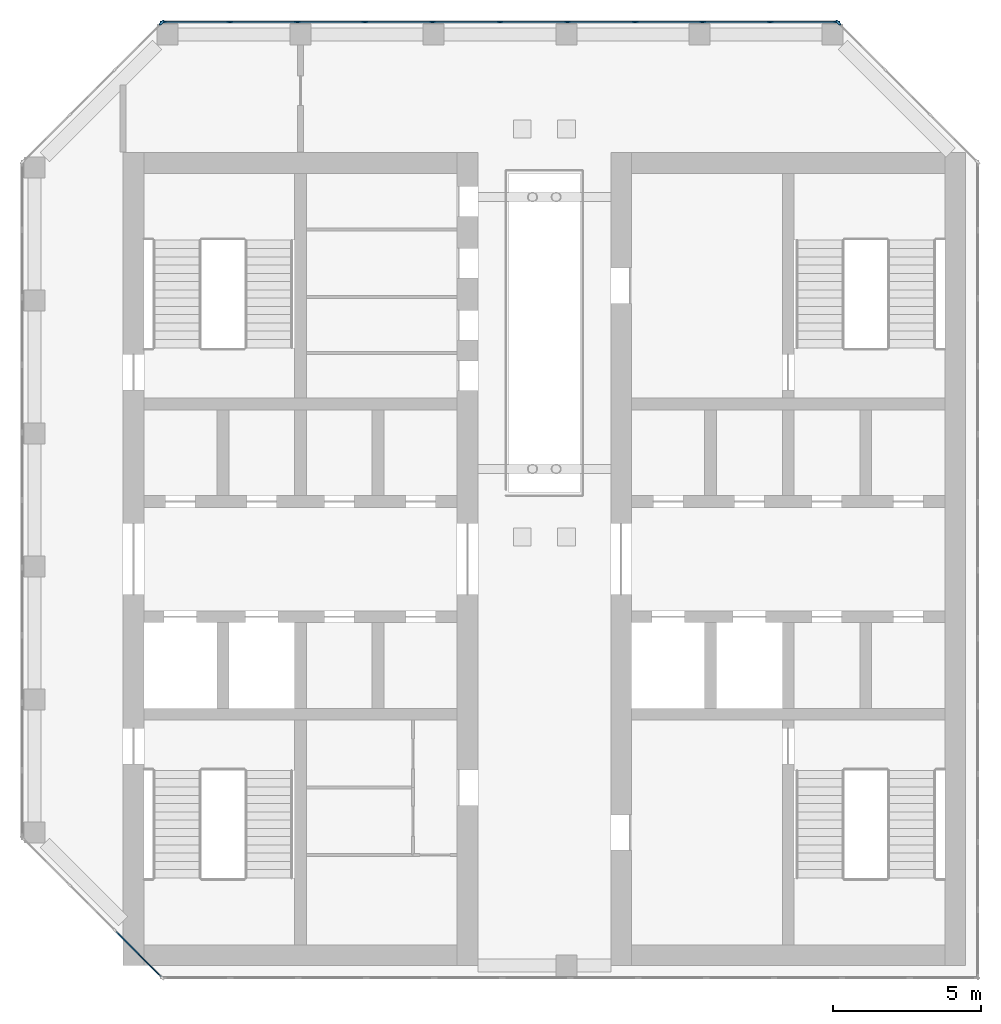
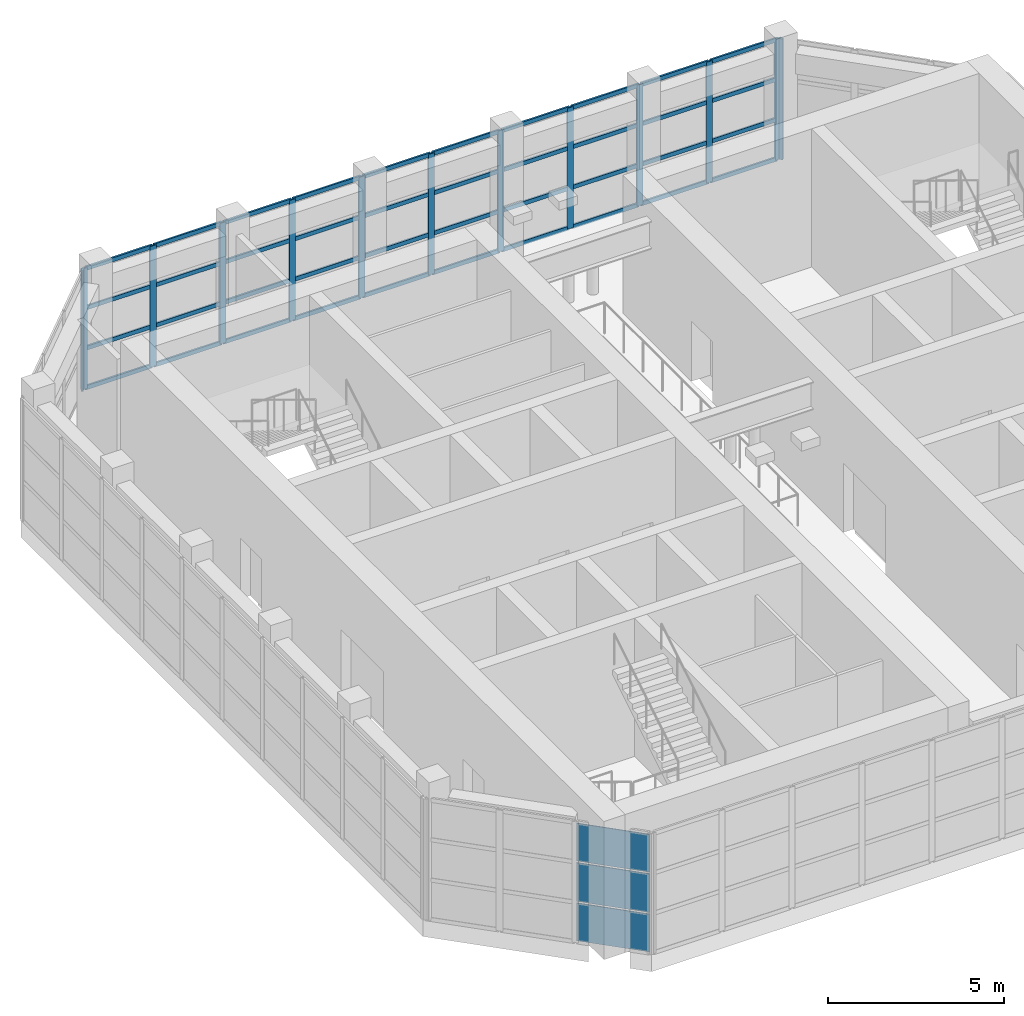
# One storey, part 6 of 13: 53 members, 3 plates, 4 elements without a shape of their own.
"""IFC4 building model written with IfcOpenShell, lengths in metres."""

from ifc_helpers import new_model, si_unit, direction, frame, origin, origin_2d, place, context, subcontext, project, spatial, rectangle, extrude, material, layer, layer_set, material_profile, profile_set, type_object, element, aggregate, save


model = new_model("IFC4")

# Units and contexts
model_context = context("Model", 3, precision=1e-05, world=origin(), true_north=direction((0.0, 1.0)))
body_context = subcontext(model_context, "Body", "Model", "MODEL_VIEW")
ifc_project = project(units=[si_unit("LENGTHUNIT", "METRE"), si_unit("AREAUNIT", "SQUARE_METRE"), si_unit("VOLUMEUNIT", "CUBIC_METRE"), si_unit("PLANEANGLEUNIT", "RADIAN"), si_unit("MASSUNIT", "GRAM", prefix="KILO")], contexts=[model_context])

# Site, building, storey
site_placement = place(None, origin())
site = spatial("IfcSite", under=ifc_project, at=site_placement, CompositionType="ELEMENT")
building_placement = place(site_placement, origin())
building = spatial("IfcBuilding", under=site, at=building_placement, Name="Corbel Stack Research Tower", CompositionType="ELEMENT")
storey_placement = place(building_placement, frame((0.0, 0.0, 316.60009765625)))
storey = spatial("IfcBuildingStorey", under=building, at=storey_placement, Name="L71", CompositionType="ELEMENT", Elevation=316.60009765625)

# Curtain wall, member
ifc_material_1 = material(Name="Aluminium and glass", Category="aluminium")
curtain_wall_type = type_object("IfcCurtainWallType", Name="CW4C damper hall glazing wall, corner", PredefinedType="NOTDEFINED", material=ifc_material_1)
curtain_wall_1_placement = place(storey_placement, origin())
curtain_wall_1 = element("IfcCurtainWall", 1, at=curtain_wall_1_placement, inside=storey, type_object=curtain_wall_type, Name="Damper hall curtain wall L71 3", PredefinedType="NOTDEFINED")
ifc_material_2 = material(Name="Aluminium, anodised", Category="aluminium")
ifc_material_profile_1 = material_profile(ifc_material_2, rectangle(XDim=0.06005859375, YDim=0.199951171875, at=origin_2d()), Name="CW4 mullion 60 x 200")
ifc_profile_set_1 = profile_set([ifc_material_profile_1], Name="Aluminium, anodised")
member_type_1 = type_object("IfcMemberType", Name="CW4 mullion 60 x 200", PredefinedType="MULLION", material=ifc_profile_set_1)
member_1_placement = place(storey_placement, frame((-9.1953125, 22.898681640625, 0.0), z_axis=(0.0, 0.0, 1.0), x_axis=(-0.707106781187, 0.707106781187, 0.0)))
member_1 = element("IfcMember", 2, at=member_1_placement, type_object=member_type_1, Name="CW4C mullion 4", PredefinedType="MULLION", context=body_context, shape_type="SweptSolid", body=[
    extrude(rectangle(XDim=0.06005859375, YDim=0.199951171875, at=origin_2d()), origin(), (0.0, 0.0, 1.0), 4.199951171875),
])
aggregate(curtain_wall_1, [member_1])

# Curtain wall, members
curtain_wall_2_placement = place(storey_placement, origin())
curtain_wall_2 = element("IfcCurtainWall", 3, at=curtain_wall_2_placement, inside=storey, type_object=curtain_wall_type, Name="Damper hall curtain wall L71 4", PredefinedType="NOTDEFINED")
member_2_placement = place(storey_placement, frame((-9.14404296875, 22.919921875, 0.0), z_axis=(0.0, 0.0, 1.0), x_axis=(0.0, 1.0, 0.0)))
member_2 = element("IfcMember", 4, at=member_2_placement, type_object=member_type_1, Name="CW4C mullion 1", PredefinedType="MULLION", context=body_context, shape_type="SweptSolid", body=[
    extrude(rectangle(XDim=0.06005859375, YDim=0.199951171875, at=origin_2d()), origin(), (0.0, 0.0, 1.0), 4.199951171875),
])
member_3_placement = place(storey_placement, frame((-6.88916015625, 22.919921875, 0.0), z_axis=(0.0, 0.0, 1.0), x_axis=(0.0, 1.0, 0.0)))
member_3 = element("IfcMember", 5, at=member_3_placement, type_object=member_type_1, Name="CW4C mullion 2", PredefinedType="MULLION", context=body_context, shape_type="SweptSolid", body=[
    extrude(rectangle(XDim=0.06005859375, YDim=0.199951171875, at=origin_2d()), origin(), (0.0, 0.0, 1.0), 4.199951171875),
])
member_4_placement = place(storey_placement, frame((-4.6044921875, 22.919921875, 0.0), z_axis=(0.0, 0.0, 1.0), x_axis=(0.0, 1.0, 0.0)))
member_4 = element("IfcMember", 6, at=member_4_placement, type_object=member_type_1, Name="CW4C mullion 3", PredefinedType="MULLION", context=body_context, shape_type="SweptSolid", body=[
    extrude(rectangle(XDim=0.06005859375, YDim=0.199951171875, at=origin_2d()), origin(), (0.0, 0.0, 1.0), 4.199951171875),
])
member_5_placement = place(storey_placement, frame((-2.319580078125, 22.919921875, 0.0), z_axis=(0.0, 0.0, 1.0), x_axis=(0.0, 1.0, 0.0)))
member_5 = element("IfcMember", 7, at=member_5_placement, type_object=member_type_1, Name="CW4C mullion 4", PredefinedType="MULLION", context=body_context, shape_type="SweptSolid", body=[
    extrude(rectangle(XDim=0.06005859375, YDim=0.199951171875, at=origin_2d()), origin(), (0.0, 0.0, 1.0), 4.199951171875),
])
member_6_placement = place(storey_placement, frame((-0.034912109375, 22.919921875, 0.0), z_axis=(0.0, 0.0, 1.0), x_axis=(0.0, 1.0, 0.0)))
member_6 = element("IfcMember", 8, at=member_6_placement, type_object=member_type_1, Name="CW4C mullion 5", PredefinedType="MULLION", context=body_context, shape_type="SweptSolid", body=[
    extrude(rectangle(XDim=0.06005859375, YDim=0.199951171875, at=origin_2d()), origin(), (0.0, 0.0, 1.0), 4.199951171875),
])
member_7_placement = place(storey_placement, frame((2.25, 22.919921875, 0.0), z_axis=(0.0, 0.0, 1.0), x_axis=(0.0, 1.0, 0.0)))
member_7 = element("IfcMember", 9, at=member_7_placement, type_object=member_type_1, Name="CW4C mullion 6", PredefinedType="MULLION", context=body_context, shape_type="SweptSolid", body=[
    extrude(rectangle(XDim=0.06005859375, YDim=0.199951171875, at=origin_2d()), origin(), (0.0, 0.0, 1.0), 4.199951171875),
])
member_8_placement = place(storey_placement, frame((4.534912109375, 22.919921875, 0.0), z_axis=(0.0, 0.0, 1.0), x_axis=(0.0, 1.0, 0.0)))
member_8 = element("IfcMember", 10, at=member_8_placement, type_object=member_type_1, Name="CW4C mullion 7", PredefinedType="MULLION", context=body_context, shape_type="SweptSolid", body=[
    extrude(rectangle(XDim=0.06005859375, YDim=0.199951171875, at=origin_2d()), origin(), (0.0, 0.0, 1.0), 4.199951171875),
])
member_9_placement = place(storey_placement, frame((6.819580078125, 22.919921875, 0.0), z_axis=(0.0, 0.0, 1.0), x_axis=(0.0, 1.0, 0.0)))
member_9 = element("IfcMember", 11, at=member_9_placement, type_object=member_type_1, Name="CW4C mullion 8", PredefinedType="MULLION", context=body_context, shape_type="SweptSolid", body=[
    extrude(rectangle(XDim=0.06005859375, YDim=0.199951171875, at=origin_2d()), origin(), (0.0, 0.0, 1.0), 4.199951171875),
])
member_10_placement = place(storey_placement, frame((9.1044921875, 22.919921875, 0.0), z_axis=(0.0, 0.0, 1.0), x_axis=(0.0, 1.0, 0.0)))
member_10 = element("IfcMember", 12, at=member_10_placement, type_object=member_type_1, Name="CW4C mullion 9", PredefinedType="MULLION", context=body_context, shape_type="SweptSolid", body=[
    extrude(rectangle(XDim=0.06005859375, YDim=0.199951171875, at=origin_2d()), origin(), (0.0, 0.0, 1.0), 4.199951171875),
])
member_11_placement = place(storey_placement, frame((11.38916015625, 22.919921875, 0.0), z_axis=(0.0, 0.0, 1.0), x_axis=(0.0, 1.0, 0.0)))
member_11 = element("IfcMember", 13, at=member_11_placement, type_object=member_type_1, Name="CW4C mullion 10", PredefinedType="MULLION", context=body_context, shape_type="SweptSolid", body=[
    extrude(rectangle(XDim=0.06005859375, YDim=0.199951171875, at=origin_2d()), origin(), (0.0, 0.0, 1.0), 4.199951171875),
])
member_12_placement = place(storey_placement, frame((13.64404296875, 22.919921875, 0.0), z_axis=(0.0, 0.0, 1.0), x_axis=(0.0, 1.0, 0.0)))
member_12 = element("IfcMember", 14, at=member_12_placement, type_object=member_type_1, Name="CW4C mullion 11", PredefinedType="MULLION", context=body_context, shape_type="SweptSolid", body=[
    extrude(rectangle(XDim=0.06005859375, YDim=0.199951171875, at=origin_2d()), origin(), (0.0, 0.0, 1.0), 4.199951171875),
])

# Curtain wall, member
curtain_wall_3_placement = place(storey_placement, origin())
curtain_wall_3 = element("IfcCurtainWall", 15, at=curtain_wall_3_placement, inside=storey, type_object=curtain_wall_type, Name="Damper hall curtain wall L71 5", PredefinedType="NOTDEFINED")
member_13_placement = place(storey_placement, frame((13.6953125, 22.898681640625, 0.0), z_axis=(0.0, 0.0, 1.0), x_axis=(0.707106781187, 0.707106781187, 0.0)))
member_13 = element("IfcMember", 16, at=member_13_placement, type_object=member_type_1, Name="CW4C mullion 1", PredefinedType="MULLION", context=body_context, shape_type="SweptSolid", body=[
    extrude(rectangle(XDim=0.06005859375, YDim=0.199951171875, at=origin_2d()), origin(), (0.0, 0.0, 1.0), 4.199951171875),
])
aggregate(curtain_wall_3, [member_13])

# Member
ifc_material_3 = material(Name="Aluminium, anodised", Category="aluminium")
ifc_material_profile_2 = material_profile(ifc_material_3, rectangle(XDim=0.06005859375, YDim=0.139892578125, at=origin_2d()), Name="CW4 transom 60 x 140")
ifc_profile_set_2 = profile_set([ifc_material_profile_2], Name="Aluminium, anodised")
member_type_2 = type_object("IfcMemberType", Name="CW4 transom 60 x 140", PredefinedType="USERDEFINED", material=ifc_profile_set_2)
member_14_placement = place(storey_placement, frame((-9.114013671875, 22.919921875, 0.02978515625), z_axis=(1.0, 0.0, 0.0), x_axis=(0.0, 1.0, 0.0)))
member_14 = element("IfcMember", 17, at=member_14_placement, type_object=member_type_2, Name="CW4C transom 1.1", ObjectType="TRANSOM", PredefinedType="USERDEFINED", context=body_context, shape_type="SweptSolid", body=[
    extrude(rectangle(XDim=0.06005859375, YDim=0.139892578125, at=origin_2d()), origin(), (0.0, 0.0, 1.0), 2.19482421875),
])

member_15_placement = place(storey_placement, frame((-9.114013671875, 22.919921875, 1.39990234375), z_axis=(1.0, 0.0, 0.0), x_axis=(0.0, 1.0, 0.0)))
member_15 = element("IfcMember", 18, at=member_15_placement, type_object=member_type_2, Name="CW4C transom 1.2", ObjectType="TRANSOM", PredefinedType="USERDEFINED", context=body_context, shape_type="SweptSolid", body=[
    extrude(rectangle(XDim=0.06005859375, YDim=0.139892578125, at=origin_2d()), origin(), (0.0, 0.0, 1.0), 2.19482421875),
])

member_16_placement = place(storey_placement, frame((-9.114013671875, 22.919921875, 2.7998046875), z_axis=(1.0, 0.0, 0.0), x_axis=(0.0, 1.0, 0.0)))
member_16 = element("IfcMember", 19, at=member_16_placement, type_object=member_type_2, Name="CW4C transom 1.3", ObjectType="TRANSOM", PredefinedType="USERDEFINED", context=body_context, shape_type="SweptSolid", body=[
    extrude(rectangle(XDim=0.06005859375, YDim=0.139892578125, at=origin_2d()), origin(), (0.0, 0.0, 1.0), 2.19482421875),
])

member_17_placement = place(storey_placement, frame((-9.114013671875, 22.919921875, 4.169921875), z_axis=(1.0, 0.0, 0.0), x_axis=(0.0, 1.0, 0.0)))
member_17 = element("IfcMember", 20, at=member_17_placement, type_object=member_type_2, Name="CW4C transom 1.4", ObjectType="TRANSOM", PredefinedType="USERDEFINED", context=body_context, shape_type="SweptSolid", body=[
    extrude(rectangle(XDim=0.06005859375, YDim=0.139892578125, at=origin_2d()), origin(), (0.0, 0.0, 1.0), 2.19482421875),
])

member_18_placement = place(storey_placement, frame((-6.859130859375, 22.919921875, 0.02978515625), z_axis=(1.0, 0.0, 0.0), x_axis=(0.0, 1.0, 0.0)))
member_18 = element("IfcMember", 21, at=member_18_placement, type_object=member_type_2, Name="CW4C transom 2.1", ObjectType="TRANSOM", PredefinedType="USERDEFINED", context=body_context, shape_type="SweptSolid", body=[
    extrude(rectangle(XDim=0.06005859375, YDim=0.139892578125, at=origin_2d()), origin(), (0.0, 0.0, 1.0), 2.224609375),
])

member_19_placement = place(storey_placement, frame((-6.859130859375, 22.919921875, 1.39990234375), z_axis=(1.0, 0.0, 0.0), x_axis=(0.0, 1.0, 0.0)))
member_19 = element("IfcMember", 22, at=member_19_placement, type_object=member_type_2, Name="CW4C transom 2.2", ObjectType="TRANSOM", PredefinedType="USERDEFINED", context=body_context, shape_type="SweptSolid", body=[
    extrude(rectangle(XDim=0.06005859375, YDim=0.139892578125, at=origin_2d()), origin(), (0.0, 0.0, 1.0), 2.224609375),
])

member_20_placement = place(storey_placement, frame((-6.859130859375, 22.919921875, 2.7998046875), z_axis=(1.0, 0.0, 0.0), x_axis=(0.0, 1.0, 0.0)))
member_20 = element("IfcMember", 23, at=member_20_placement, type_object=member_type_2, Name="CW4C transom 2.3", ObjectType="TRANSOM", PredefinedType="USERDEFINED", context=body_context, shape_type="SweptSolid", body=[
    extrude(rectangle(XDim=0.06005859375, YDim=0.139892578125, at=origin_2d()), origin(), (0.0, 0.0, 1.0), 2.224609375),
])

member_21_placement = place(storey_placement, frame((-6.859130859375, 22.919921875, 4.169921875), z_axis=(1.0, 0.0, 0.0), x_axis=(0.0, 1.0, 0.0)))
member_21 = element("IfcMember", 24, at=member_21_placement, type_object=member_type_2, Name="CW4C transom 2.4", ObjectType="TRANSOM", PredefinedType="USERDEFINED", context=body_context, shape_type="SweptSolid", body=[
    extrude(rectangle(XDim=0.06005859375, YDim=0.139892578125, at=origin_2d()), origin(), (0.0, 0.0, 1.0), 2.224609375),
])

member_22_placement = place(storey_placement, frame((-4.574462890625, 22.919921875, 0.02978515625), z_axis=(1.0, 0.0, 0.0), x_axis=(0.0, 1.0, 0.0)))
member_22 = element("IfcMember", 25, at=member_22_placement, type_object=member_type_2, Name="CW4C transom 3.1", ObjectType="TRANSOM", PredefinedType="USERDEFINED", context=body_context, shape_type="SweptSolid", body=[
    extrude(rectangle(XDim=0.06005859375, YDim=0.139892578125, at=origin_2d()), origin(), (0.0, 0.0, 1.0), 2.224853515625),
])

member_23_placement = place(storey_placement, frame((-4.574462890625, 22.919921875, 1.39990234375), z_axis=(1.0, 0.0, 0.0), x_axis=(0.0, 1.0, 0.0)))
member_23 = element("IfcMember", 26, at=member_23_placement, type_object=member_type_2, Name="CW4C transom 3.2", ObjectType="TRANSOM", PredefinedType="USERDEFINED", context=body_context, shape_type="SweptSolid", body=[
    extrude(rectangle(XDim=0.06005859375, YDim=0.139892578125, at=origin_2d()), origin(), (0.0, 0.0, 1.0), 2.224853515625),
])

member_24_placement = place(storey_placement, frame((-4.574462890625, 22.919921875, 2.7998046875), z_axis=(1.0, 0.0, 0.0), x_axis=(0.0, 1.0, 0.0)))
member_24 = element("IfcMember", 27, at=member_24_placement, type_object=member_type_2, Name="CW4C transom 3.3", ObjectType="TRANSOM", PredefinedType="USERDEFINED", context=body_context, shape_type="SweptSolid", body=[
    extrude(rectangle(XDim=0.06005859375, YDim=0.139892578125, at=origin_2d()), origin(), (0.0, 0.0, 1.0), 2.224853515625),
])

member_25_placement = place(storey_placement, frame((-4.574462890625, 22.919921875, 4.169921875), z_axis=(1.0, 0.0, 0.0), x_axis=(0.0, 1.0, 0.0)))
member_25 = element("IfcMember", 28, at=member_25_placement, type_object=member_type_2, Name="CW4C transom 3.4", ObjectType="TRANSOM", PredefinedType="USERDEFINED", context=body_context, shape_type="SweptSolid", body=[
    extrude(rectangle(XDim=0.06005859375, YDim=0.139892578125, at=origin_2d()), origin(), (0.0, 0.0, 1.0), 2.224853515625),
])

member_26_placement = place(storey_placement, frame((-2.28955078125, 22.919921875, 0.02978515625), z_axis=(1.0, 0.0, 0.0), x_axis=(0.0, 1.0, 0.0)))
member_26 = element("IfcMember", 29, at=member_26_placement, type_object=member_type_2, Name="CW4C transom 4.1", ObjectType="TRANSOM", PredefinedType="USERDEFINED", context=body_context, shape_type="SweptSolid", body=[
    extrude(rectangle(XDim=0.06005859375, YDim=0.139892578125, at=origin_2d()), origin(), (0.0, 0.0, 1.0), 2.224853515625),
])

member_27_placement = place(storey_placement, frame((-2.28955078125, 22.919921875, 1.39990234375), z_axis=(1.0, 0.0, 0.0), x_axis=(0.0, 1.0, 0.0)))
member_27 = element("IfcMember", 30, at=member_27_placement, type_object=member_type_2, Name="CW4C transom 4.2", ObjectType="TRANSOM", PredefinedType="USERDEFINED", context=body_context, shape_type="SweptSolid", body=[
    extrude(rectangle(XDim=0.06005859375, YDim=0.139892578125, at=origin_2d()), origin(), (0.0, 0.0, 1.0), 2.224853515625),
])

member_28_placement = place(storey_placement, frame((-2.28955078125, 22.919921875, 2.7998046875), z_axis=(1.0, 0.0, 0.0), x_axis=(0.0, 1.0, 0.0)))
member_28 = element("IfcMember", 31, at=member_28_placement, type_object=member_type_2, Name="CW4C transom 4.3", ObjectType="TRANSOM", PredefinedType="USERDEFINED", context=body_context, shape_type="SweptSolid", body=[
    extrude(rectangle(XDim=0.06005859375, YDim=0.139892578125, at=origin_2d()), origin(), (0.0, 0.0, 1.0), 2.224853515625),
])

member_29_placement = place(storey_placement, frame((-2.28955078125, 22.919921875, 4.169921875), z_axis=(1.0, 0.0, 0.0), x_axis=(0.0, 1.0, 0.0)))
member_29 = element("IfcMember", 32, at=member_29_placement, type_object=member_type_2, Name="CW4C transom 4.4", ObjectType="TRANSOM", PredefinedType="USERDEFINED", context=body_context, shape_type="SweptSolid", body=[
    extrude(rectangle(XDim=0.06005859375, YDim=0.139892578125, at=origin_2d()), origin(), (0.0, 0.0, 1.0), 2.224853515625),
])

member_30_placement = place(storey_placement, frame((-0.0048828125, 22.919921875, 0.02978515625), z_axis=(1.0, 0.0, 0.0), x_axis=(0.0, 1.0, 0.0)))
member_30 = element("IfcMember", 33, at=member_30_placement, type_object=member_type_2, Name="CW4C transom 5.1", ObjectType="TRANSOM", PredefinedType="USERDEFINED", context=body_context, shape_type="SweptSolid", body=[
    extrude(rectangle(XDim=0.06005859375, YDim=0.139892578125, at=origin_2d()), origin(), (0.0, 0.0, 1.0), 2.224853515625),
])

member_31_placement = place(storey_placement, frame((-0.0048828125, 22.919921875, 1.39990234375), z_axis=(1.0, 0.0, 0.0), x_axis=(0.0, 1.0, 0.0)))
member_31 = element("IfcMember", 34, at=member_31_placement, type_object=member_type_2, Name="CW4C transom 5.2", ObjectType="TRANSOM", PredefinedType="USERDEFINED", context=body_context, shape_type="SweptSolid", body=[
    extrude(rectangle(XDim=0.06005859375, YDim=0.139892578125, at=origin_2d()), origin(), (0.0, 0.0, 1.0), 2.224853515625),
])

member_32_placement = place(storey_placement, frame((-0.0048828125, 22.919921875, 2.7998046875), z_axis=(1.0, 0.0, 0.0), x_axis=(0.0, 1.0, 0.0)))
member_32 = element("IfcMember", 35, at=member_32_placement, type_object=member_type_2, Name="CW4C transom 5.3", ObjectType="TRANSOM", PredefinedType="USERDEFINED", context=body_context, shape_type="SweptSolid", body=[
    extrude(rectangle(XDim=0.06005859375, YDim=0.139892578125, at=origin_2d()), origin(), (0.0, 0.0, 1.0), 2.224853515625),
])

member_33_placement = place(storey_placement, frame((-0.0048828125, 22.919921875, 4.169921875), z_axis=(1.0, 0.0, 0.0), x_axis=(0.0, 1.0, 0.0)))
member_33 = element("IfcMember", 36, at=member_33_placement, type_object=member_type_2, Name="CW4C transom 5.4", ObjectType="TRANSOM", PredefinedType="USERDEFINED", context=body_context, shape_type="SweptSolid", body=[
    extrude(rectangle(XDim=0.06005859375, YDim=0.139892578125, at=origin_2d()), origin(), (0.0, 0.0, 1.0), 2.224853515625),
])

member_34_placement = place(storey_placement, frame((2.280029296875, 22.919921875, 0.02978515625), z_axis=(1.0, 0.0, 0.0), x_axis=(0.0, 1.0, 0.0)))
member_34 = element("IfcMember", 37, at=member_34_placement, type_object=member_type_2, Name="CW4C transom 6.1", ObjectType="TRANSOM", PredefinedType="USERDEFINED", context=body_context, shape_type="SweptSolid", body=[
    extrude(rectangle(XDim=0.06005859375, YDim=0.139892578125, at=origin_2d()), origin(), (0.0, 0.0, 1.0), 2.224853515625),
])

member_35_placement = place(storey_placement, frame((2.280029296875, 22.919921875, 1.39990234375), z_axis=(1.0, 0.0, 0.0), x_axis=(0.0, 1.0, 0.0)))
member_35 = element("IfcMember", 38, at=member_35_placement, type_object=member_type_2, Name="CW4C transom 6.2", ObjectType="TRANSOM", PredefinedType="USERDEFINED", context=body_context, shape_type="SweptSolid", body=[
    extrude(rectangle(XDim=0.06005859375, YDim=0.139892578125, at=origin_2d()), origin(), (0.0, 0.0, 1.0), 2.224853515625),
])

member_36_placement = place(storey_placement, frame((2.280029296875, 22.919921875, 2.7998046875), z_axis=(1.0, 0.0, 0.0), x_axis=(0.0, 1.0, 0.0)))
member_36 = element("IfcMember", 39, at=member_36_placement, type_object=member_type_2, Name="CW4C transom 6.3", ObjectType="TRANSOM", PredefinedType="USERDEFINED", context=body_context, shape_type="SweptSolid", body=[
    extrude(rectangle(XDim=0.06005859375, YDim=0.139892578125, at=origin_2d()), origin(), (0.0, 0.0, 1.0), 2.224853515625),
])

member_37_placement = place(storey_placement, frame((2.280029296875, 22.919921875, 4.169921875), z_axis=(1.0, 0.0, 0.0), x_axis=(0.0, 1.0, 0.0)))
member_37 = element("IfcMember", 40, at=member_37_placement, type_object=member_type_2, Name="CW4C transom 6.4", ObjectType="TRANSOM", PredefinedType="USERDEFINED", context=body_context, shape_type="SweptSolid", body=[
    extrude(rectangle(XDim=0.06005859375, YDim=0.139892578125, at=origin_2d()), origin(), (0.0, 0.0, 1.0), 2.224853515625),
])

member_38_placement = place(storey_placement, frame((4.564697265625, 22.919921875, 0.02978515625), z_axis=(1.0, 0.0, 0.0), x_axis=(0.0, 1.0, 0.0)))
member_38 = element("IfcMember", 41, at=member_38_placement, type_object=member_type_2, Name="CW4C transom 7.1", ObjectType="TRANSOM", PredefinedType="USERDEFINED", context=body_context, shape_type="SweptSolid", body=[
    extrude(rectangle(XDim=0.06005859375, YDim=0.139892578125, at=origin_2d()), origin(), (0.0, 0.0, 1.0), 2.224853515625),
])

member_39_placement = place(storey_placement, frame((4.564697265625, 22.919921875, 1.39990234375), z_axis=(1.0, 0.0, 0.0), x_axis=(0.0, 1.0, 0.0)))
member_39 = element("IfcMember", 42, at=member_39_placement, type_object=member_type_2, Name="CW4C transom 7.2", ObjectType="TRANSOM", PredefinedType="USERDEFINED", context=body_context, shape_type="SweptSolid", body=[
    extrude(rectangle(XDim=0.06005859375, YDim=0.139892578125, at=origin_2d()), origin(), (0.0, 0.0, 1.0), 2.224853515625),
])

member_40_placement = place(storey_placement, frame((4.564697265625, 22.919921875, 2.7998046875), z_axis=(1.0, 0.0, 0.0), x_axis=(0.0, 1.0, 0.0)))
member_40 = element("IfcMember", 43, at=member_40_placement, type_object=member_type_2, Name="CW4C transom 7.3", ObjectType="TRANSOM", PredefinedType="USERDEFINED", context=body_context, shape_type="SweptSolid", body=[
    extrude(rectangle(XDim=0.06005859375, YDim=0.139892578125, at=origin_2d()), origin(), (0.0, 0.0, 1.0), 2.224853515625),
])

member_41_placement = place(storey_placement, frame((4.564697265625, 22.919921875, 4.169921875), z_axis=(1.0, 0.0, 0.0), x_axis=(0.0, 1.0, 0.0)))
member_41 = element("IfcMember", 44, at=member_41_placement, type_object=member_type_2, Name="CW4C transom 7.4", ObjectType="TRANSOM", PredefinedType="USERDEFINED", context=body_context, shape_type="SweptSolid", body=[
    extrude(rectangle(XDim=0.06005859375, YDim=0.139892578125, at=origin_2d()), origin(), (0.0, 0.0, 1.0), 2.224853515625),
])

member_42_placement = place(storey_placement, frame((6.849609375, 22.919921875, 0.02978515625), z_axis=(1.0, 0.0, 0.0), x_axis=(0.0, 1.0, 0.0)))
member_42 = element("IfcMember", 45, at=member_42_placement, type_object=member_type_2, Name="CW4C transom 8.1", ObjectType="TRANSOM", PredefinedType="USERDEFINED", context=body_context, shape_type="SweptSolid", body=[
    extrude(rectangle(XDim=0.06005859375, YDim=0.139892578125, at=origin_2d()), origin(), (0.0, 0.0, 1.0), 2.224853515625),
])

member_43_placement = place(storey_placement, frame((6.849609375, 22.919921875, 1.39990234375), z_axis=(1.0, 0.0, 0.0), x_axis=(0.0, 1.0, 0.0)))
member_43 = element("IfcMember", 46, at=member_43_placement, type_object=member_type_2, Name="CW4C transom 8.2", ObjectType="TRANSOM", PredefinedType="USERDEFINED", context=body_context, shape_type="SweptSolid", body=[
    extrude(rectangle(XDim=0.06005859375, YDim=0.139892578125, at=origin_2d()), origin(), (0.0, 0.0, 1.0), 2.224853515625),
])

member_44_placement = place(storey_placement, frame((6.849609375, 22.919921875, 2.7998046875), z_axis=(1.0, 0.0, 0.0), x_axis=(0.0, 1.0, 0.0)))
member_44 = element("IfcMember", 47, at=member_44_placement, type_object=member_type_2, Name="CW4C transom 8.3", ObjectType="TRANSOM", PredefinedType="USERDEFINED", context=body_context, shape_type="SweptSolid", body=[
    extrude(rectangle(XDim=0.06005859375, YDim=0.139892578125, at=origin_2d()), origin(), (0.0, 0.0, 1.0), 2.224853515625),
])

member_45_placement = place(storey_placement, frame((6.849609375, 22.919921875, 4.169921875), z_axis=(1.0, 0.0, 0.0), x_axis=(0.0, 1.0, 0.0)))
member_45 = element("IfcMember", 48, at=member_45_placement, type_object=member_type_2, Name="CW4C transom 8.4", ObjectType="TRANSOM", PredefinedType="USERDEFINED", context=body_context, shape_type="SweptSolid", body=[
    extrude(rectangle(XDim=0.06005859375, YDim=0.139892578125, at=origin_2d()), origin(), (0.0, 0.0, 1.0), 2.224853515625),
])

member_46_placement = place(storey_placement, frame((9.134521484375, 22.919921875, 0.02978515625), z_axis=(1.0, 0.0, 0.0), x_axis=(0.0, 1.0, 0.0)))
member_46 = element("IfcMember", 49, at=member_46_placement, type_object=member_type_2, Name="CW4C transom 9.1", ObjectType="TRANSOM", PredefinedType="USERDEFINED", context=body_context, shape_type="SweptSolid", body=[
    extrude(rectangle(XDim=0.06005859375, YDim=0.139892578125, at=origin_2d()), origin(), (0.0, 0.0, 1.0), 2.224609375),
])

member_47_placement = place(storey_placement, frame((9.134521484375, 22.919921875, 1.39990234375), z_axis=(1.0, 0.0, 0.0), x_axis=(0.0, 1.0, 0.0)))
member_47 = element("IfcMember", 50, at=member_47_placement, type_object=member_type_2, Name="CW4C transom 9.2", ObjectType="TRANSOM", PredefinedType="USERDEFINED", context=body_context, shape_type="SweptSolid", body=[
    extrude(rectangle(XDim=0.06005859375, YDim=0.139892578125, at=origin_2d()), origin(), (0.0, 0.0, 1.0), 2.224609375),
])

member_48_placement = place(storey_placement, frame((9.134521484375, 22.919921875, 2.7998046875), z_axis=(1.0, 0.0, 0.0), x_axis=(0.0, 1.0, 0.0)))
member_48 = element("IfcMember", 51, at=member_48_placement, type_object=member_type_2, Name="CW4C transom 9.3", ObjectType="TRANSOM", PredefinedType="USERDEFINED", context=body_context, shape_type="SweptSolid", body=[
    extrude(rectangle(XDim=0.06005859375, YDim=0.139892578125, at=origin_2d()), origin(), (0.0, 0.0, 1.0), 2.224609375),
])

member_49_placement = place(storey_placement, frame((9.134521484375, 22.919921875, 4.169921875), z_axis=(1.0, 0.0, 0.0), x_axis=(0.0, 1.0, 0.0)))
member_49 = element("IfcMember", 52, at=member_49_placement, type_object=member_type_2, Name="CW4C transom 9.4", ObjectType="TRANSOM", PredefinedType="USERDEFINED", context=body_context, shape_type="SweptSolid", body=[
    extrude(rectangle(XDim=0.06005859375, YDim=0.139892578125, at=origin_2d()), origin(), (0.0, 0.0, 1.0), 2.224609375),
])

member_50_placement = place(storey_placement, frame((11.419189453125, 22.919921875, 0.02978515625), z_axis=(1.0, 0.0, 0.0), x_axis=(0.0, 1.0, 0.0)))
member_50 = element("IfcMember", 53, at=member_50_placement, type_object=member_type_2, Name="CW4C transom 10.1", ObjectType="TRANSOM", PredefinedType="USERDEFINED", context=body_context, shape_type="SweptSolid", body=[
    extrude(rectangle(XDim=0.06005859375, YDim=0.139892578125, at=origin_2d()), origin(), (0.0, 0.0, 1.0), 2.19482421875),
])

member_51_placement = place(storey_placement, frame((11.419189453125, 22.919921875, 1.39990234375), z_axis=(1.0, 0.0, 0.0), x_axis=(0.0, 1.0, 0.0)))
member_51 = element("IfcMember", 54, at=member_51_placement, type_object=member_type_2, Name="CW4C transom 10.2", ObjectType="TRANSOM", PredefinedType="USERDEFINED", context=body_context, shape_type="SweptSolid", body=[
    extrude(rectangle(XDim=0.06005859375, YDim=0.139892578125, at=origin_2d()), origin(), (0.0, 0.0, 1.0), 2.19482421875),
])

member_52_placement = place(storey_placement, frame((11.419189453125, 22.919921875, 2.7998046875), z_axis=(1.0, 0.0, 0.0), x_axis=(0.0, 1.0, 0.0)))
member_52 = element("IfcMember", 55, at=member_52_placement, type_object=member_type_2, Name="CW4C transom 10.3", ObjectType="TRANSOM", PredefinedType="USERDEFINED", context=body_context, shape_type="SweptSolid", body=[
    extrude(rectangle(XDim=0.06005859375, YDim=0.139892578125, at=origin_2d()), origin(), (0.0, 0.0, 1.0), 2.19482421875),
])

member_53_placement = place(storey_placement, frame((11.419189453125, 22.919921875, 4.169921875), z_axis=(1.0, 0.0, 0.0), x_axis=(0.0, 1.0, 0.0)))
member_53 = element("IfcMember", 56, at=member_53_placement, type_object=member_type_2, Name="CW4C transom 10.4", ObjectType="TRANSOM", PredefinedType="USERDEFINED", context=body_context, shape_type="SweptSolid", body=[
    extrude(rectangle(XDim=0.06005859375, YDim=0.139892578125, at=origin_2d()), origin(), (0.0, 0.0, 1.0), 2.19482421875),
])

aggregate(curtain_wall_2, [member_2, member_3, member_4, member_5, member_6, member_7, member_8, member_9, member_10, member_11, member_12, member_14, member_15, member_16, member_17, member_18, member_19, member_20, member_21, member_22, member_23, member_24, member_25, member_26, member_27, member_28, member_29, member_30, member_31, member_32, member_33, member_34, member_35, member_36, member_37, member_38, member_39, member_40, member_41, member_42, member_43, member_44, member_45, member_46, member_47, member_48, member_49, member_50, member_51, member_52, member_53])

# Curtain wall, plates
curtain_wall_4_placement = place(storey_placement, origin())
curtain_wall_4 = element("IfcCurtainWall", 57, at=curtain_wall_4_placement, inside=storey, type_object=curtain_wall_type, Name="Damper hall curtain wall L71 1", PredefinedType="NOTDEFINED")
ifc_material_4 = material(Name="Glass, laminated amber tint", Category="glass")
ifc_layer = layer(ifc_material_4, 0.031982421875)
ifc_layer_set = layer_set([ifc_layer], Name="Glass, laminated amber tint")
plate_type = type_object("IfcPlateType", Name="CW4 amber laminated glass panel 32", PredefinedType="CURTAIN_PANEL", material=ifc_layer_set)
plate_1_placement = place(storey_placement, frame((-9.9755859375, -8.618408203125, 0.059814453125), z_axis=(0.0, 0.0, 1.0), x_axis=(-0.707106781187, 0.707106781187, 0.0)))
plate_1 = element("IfcPlate", 58, at=plate_1_placement, type_object=plate_type, Name="CW4C panel 1.1", PredefinedType="CURTAIN_PANEL", context=body_context, shape_type="SweptSolid", body=[
    extrude(rectangle(XDim=2.147216796875, YDim=0.031982421875, at=origin_2d()), origin(), (0.0, 0.0, 1.0), 1.31005859375),
])
plate_2_placement = place(storey_placement, frame((-9.9755859375, -8.618408203125, 1.4296875), z_axis=(0.0, 0.0, 1.0), x_axis=(-0.707106781187, 0.707106781187, 0.0)))
plate_2 = element("IfcPlate", 59, at=plate_2_placement, type_object=plate_type, Name="CW4C panel 1.2", PredefinedType="CURTAIN_PANEL", context=body_context, shape_type="SweptSolid", body=[
    extrude(rectangle(XDim=2.147216796875, YDim=0.031982421875, at=origin_2d()), origin(), (0.0, 0.0, 1.0), 1.340087890625),
])
plate_3_placement = place(storey_placement, frame((-9.9755859375, -8.618408203125, 2.829833984375), z_axis=(0.0, 0.0, 1.0), x_axis=(-0.707106781187, 0.707106781187, 0.0)))
plate_3 = element("IfcPlate", 60, at=plate_3_placement, type_object=plate_type, Name="CW4C panel 1.3", PredefinedType="CURTAIN_PANEL", context=body_context, shape_type="SweptSolid", body=[
    extrude(rectangle(XDim=2.147216796875, YDim=0.031982421875, at=origin_2d()), origin(), (0.0, 0.0, 1.0), 1.31005859375),
])
aggregate(curtain_wall_4, [plate_1, plate_2, plate_3])

save(model, "model.ifc")
